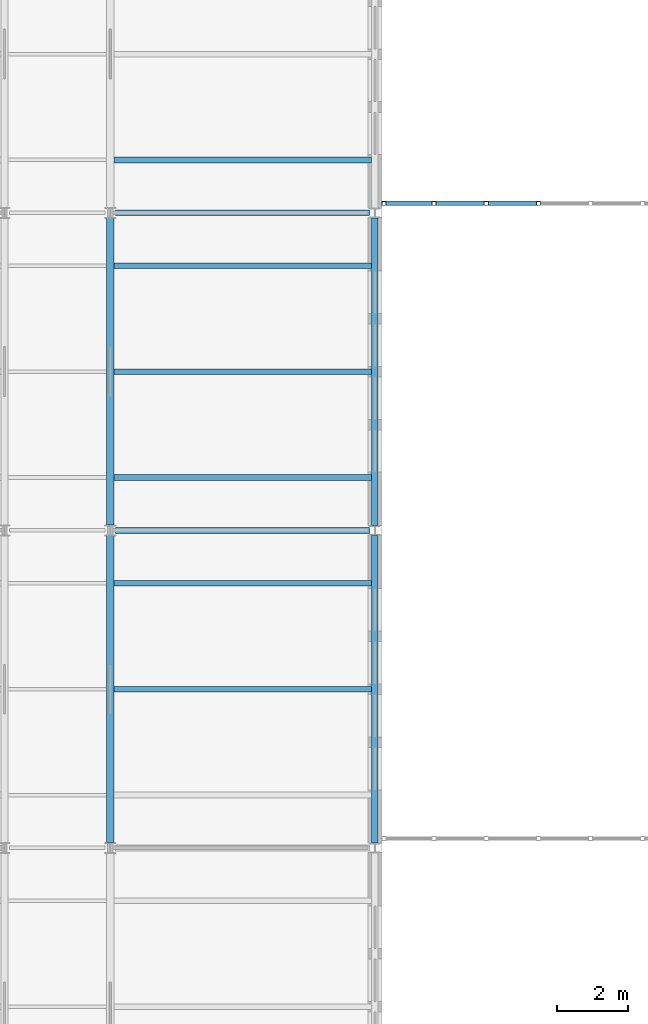
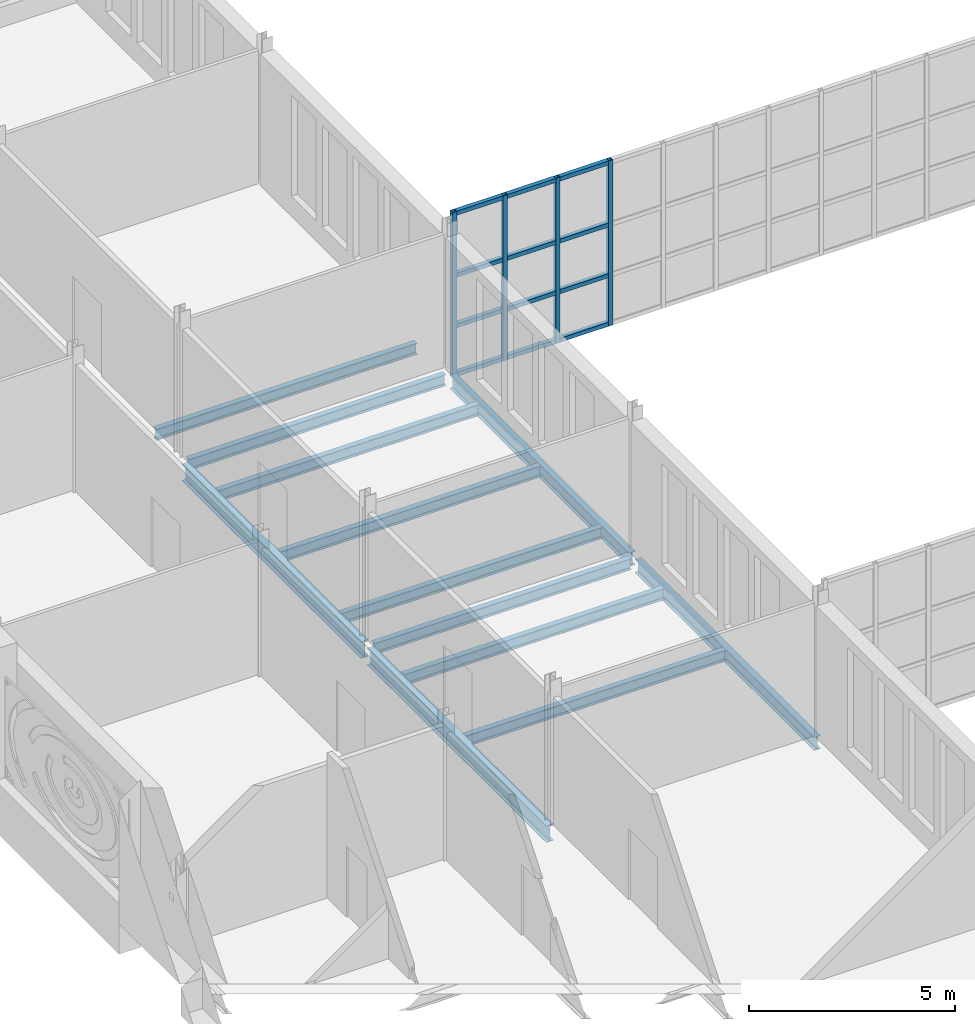
# One storey, part 32 of 134: 16 members, 12 beams, 1 element without a shape of its own.
"""IFC4 building model written with IfcOpenShell, lengths in metres."""

from ifc_helpers import new_model, si_unit, direction, frame, origin, origin_2d, place, context, subcontext, project, spatial, hollow_rectangle, i_section, extrude, material, material_profile, profile_set, type_object, element, aggregate, save


model = new_model("IFC4")

# Units and contexts
model_context = context("Model", 3, precision=1e-05, world=origin(), true_north=direction((0.0, 1.0)))
body_context = subcontext(model_context, "Body", "Model", "MODEL_VIEW")
ifc_project = project(units=[si_unit("LENGTHUNIT", "METRE"), si_unit("AREAUNIT", "SQUARE_METRE"), si_unit("VOLUMEUNIT", "CUBIC_METRE"), si_unit("PLANEANGLEUNIT", "RADIAN"), si_unit("MASSUNIT", "GRAM", prefix="KILO")], contexts=[model_context])

# Site, building, storey
site_placement = place(None, origin())
site = spatial("IfcSite", under=ifc_project, at=site_placement, CompositionType="ELEMENT")
building_placement = place(site_placement, origin())
building = spatial("IfcBuilding", under=site, at=building_placement, Name="Golden Quay Civic Hall", CompositionType="ELEMENT")
storey_placement = place(building_placement, frame((0.0, 0.0, 5.39990234375)))
storey = spatial("IfcBuildingStorey", under=building, at=storey_placement, Name="L01", CompositionType="ELEMENT", Elevation=5.39990234375)

# Curtain wall, members
ifc_material_1 = material(Name="Fire-resisting glass and steel", Category="steel")
curtain_wall_type = type_object("IfcCurtainWallType", Name="Fire-resisting glazed curtain wall EI 120", PredefinedType="NOTDEFINED", material=ifc_material_1)
curtain_wall_placement = place(storey_placement, origin())
curtain_wall = element("IfcCurtainWall", 1, at=curtain_wall_placement, inside=storey, type_object=curtain_wall_type, Name="CW3 curtain wall", PredefinedType="NOTDEFINED")
ifc_material_2 = material(Name="Steel S355", Category="steel")
ifc_material_profile_1 = material_profile(ifc_material_2, hollow_rectangle(XDim=0.1201171875, YDim=0.1201171875, WallThickness=0.008056640625, at=origin_2d()), Name="SHS 120x120x8")
ifc_profile_set_1 = profile_set([ifc_material_profile_1], Name="Steel S355")
member_type_1 = type_object("IfcMemberType", Name="Fire-resisting steel mullion SHS 120x120x8", PredefinedType="MULLION", material=ifc_profile_set_1)
member_1_placement = place(storey_placement, frame((72.260009765625, 36.27001953125, -0.599853515625), z_axis=(0.0, 0.0, 1.0), x_axis=(0.0, 1.0, 0.0)))
member_1 = element("IfcMember", 2, at=member_1_placement, type_object=member_type_1, Name="CW3 mullion 1", PredefinedType="MULLION", context=body_context, shape_type="SweptSolid", body=[
    extrude(hollow_rectangle(XDim=0.1201171875, YDim=0.1201171875, WallThickness=0.008056640625, at=origin_2d()), origin(), (0.0, 0.0, 1.0), 4.89990234375),
])
member_2_placement = place(storey_placement, frame((73.677734375, 36.27001953125, -0.599853515625), z_axis=(0.0, 0.0, 1.0), x_axis=(0.0, 1.0, 0.0)))
member_2 = element("IfcMember", 3, at=member_2_placement, type_object=member_type_1, Name="CW3 mullion 2", PredefinedType="MULLION", context=body_context, shape_type="SweptSolid", body=[
    extrude(hollow_rectangle(XDim=0.1201171875, YDim=0.1201171875, WallThickness=0.008056640625, at=origin_2d()), origin(), (0.0, 0.0, 1.0), 4.89990234375),
])
member_3_placement = place(storey_placement, frame((75.155517578125, 36.27001953125, -0.599853515625), z_axis=(0.0, 0.0, 1.0), x_axis=(0.0, 1.0, 0.0)))
member_3 = element("IfcMember", 4, at=member_3_placement, type_object=member_type_1, Name="CW3 mullion 3", PredefinedType="MULLION", context=body_context, shape_type="SweptSolid", body=[
    extrude(hollow_rectangle(XDim=0.1201171875, YDim=0.1201171875, WallThickness=0.008056640625, at=origin_2d()), origin(), (0.0, 0.0, 1.0), 4.89990234375),
])
member_4_placement = place(storey_placement, frame((76.63330078125, 36.27001953125, -0.599853515625), z_axis=(0.0, 0.0, 1.0), x_axis=(0.0, 1.0, 0.0)))
member_4 = element("IfcMember", 5, at=member_4_placement, type_object=member_type_1, Name="CW3 mullion 4", PredefinedType="MULLION", context=body_context, shape_type="SweptSolid", body=[
    extrude(hollow_rectangle(XDim=0.1201171875, YDim=0.1201171875, WallThickness=0.008056640625, at=origin_2d()), origin(), (0.0, 0.0, 1.0), 4.89990234375),
])
ifc_material_3 = material(Name="Steel S355", Category="steel")
ifc_material_profile_2 = material_profile(ifc_material_3, hollow_rectangle(XDim=0.1201171875, YDim=0.1201171875, WallThickness=0.008056640625, at=origin_2d()), Name="SHS 120x120x8")
ifc_profile_set_2 = profile_set([ifc_material_profile_2], Name="Steel S355")
member_type_2 = type_object("IfcMemberType", Name="Fire-resisting steel transom SHS 120x120x8", PredefinedType="USERDEFINED", material=ifc_profile_set_2)
member_5_placement = place(storey_placement, frame((72.320068359375, 36.27001953125, -0.539794921875), z_axis=(1.0, 0.0, 0.0), x_axis=(0.0, 1.0, 0.0)))
member_5 = element("IfcMember", 6, at=member_5_placement, type_object=member_type_2, Name="CW3 transom 1.1", ObjectType="TRANSOM", PredefinedType="USERDEFINED", context=body_context, shape_type="SweptSolid", body=[
    extrude(hollow_rectangle(XDim=0.1201171875, YDim=0.1201171875, WallThickness=0.008056640625, at=origin_2d()), origin(), (0.0, 0.0, 1.0), 1.297607421875),
])
member_6_placement = place(storey_placement, frame((72.320068359375, 36.27001953125, 0.900146484375), z_axis=(1.0, 0.0, 0.0), x_axis=(0.0, 1.0, 0.0)))
member_6 = element("IfcMember", 7, at=member_6_placement, type_object=member_type_2, Name="CW3 transom 1.2", ObjectType="TRANSOM", PredefinedType="USERDEFINED", context=body_context, shape_type="SweptSolid", body=[
    extrude(hollow_rectangle(XDim=0.1201171875, YDim=0.1201171875, WallThickness=0.008056640625, at=origin_2d()), origin(), (0.0, 0.0, 1.0), 1.297607421875),
])
member_7_placement = place(storey_placement, frame((72.320068359375, 36.27001953125, 2.400146484375), z_axis=(1.0, 0.0, 0.0), x_axis=(0.0, 1.0, 0.0)))
member_7 = element("IfcMember", 8, at=member_7_placement, type_object=member_type_2, Name="CW3 transom 1.3", ObjectType="TRANSOM", PredefinedType="USERDEFINED", context=body_context, shape_type="SweptSolid", body=[
    extrude(hollow_rectangle(XDim=0.1201171875, YDim=0.1201171875, WallThickness=0.008056640625, at=origin_2d()), origin(), (0.0, 0.0, 1.0), 1.297607421875),
])
member_8_placement = place(storey_placement, frame((72.320068359375, 36.27001953125, 4.239990234375), z_axis=(1.0, 0.0, 0.0), x_axis=(0.0, 1.0, 0.0)))
member_8 = element("IfcMember", 9, at=member_8_placement, type_object=member_type_2, Name="CW3 transom 1.4", ObjectType="TRANSOM", PredefinedType="USERDEFINED", context=body_context, shape_type="SweptSolid", body=[
    extrude(hollow_rectangle(XDim=0.1201171875, YDim=0.1201171875, WallThickness=0.008056640625, at=origin_2d()), origin(), (0.0, 0.0, 1.0), 1.297607421875),
])
member_9_placement = place(storey_placement, frame((73.73779296875, 36.27001953125, -0.539794921875), z_axis=(1.0, 0.0, 0.0), x_axis=(0.0, 1.0, 0.0)))
member_9 = element("IfcMember", 10, at=member_9_placement, type_object=member_type_2, Name="CW3 transom 2.1", ObjectType="TRANSOM", PredefinedType="USERDEFINED", context=body_context, shape_type="SweptSolid", body=[
    extrude(hollow_rectangle(XDim=0.1201171875, YDim=0.1201171875, WallThickness=0.008056640625, at=origin_2d()), origin(), (0.0, 0.0, 1.0), 1.357666015625),
])
member_10_placement = place(storey_placement, frame((73.73779296875, 36.27001953125, 0.900146484375), z_axis=(1.0, 0.0, 0.0), x_axis=(0.0, 1.0, 0.0)))
member_10 = element("IfcMember", 11, at=member_10_placement, type_object=member_type_2, Name="CW3 transom 2.2", ObjectType="TRANSOM", PredefinedType="USERDEFINED", context=body_context, shape_type="SweptSolid", body=[
    extrude(hollow_rectangle(XDim=0.1201171875, YDim=0.1201171875, WallThickness=0.008056640625, at=origin_2d()), origin(), (0.0, 0.0, 1.0), 1.357666015625),
])
member_11_placement = place(storey_placement, frame((73.73779296875, 36.27001953125, 2.400146484375), z_axis=(1.0, 0.0, 0.0), x_axis=(0.0, 1.0, 0.0)))
member_11 = element("IfcMember", 12, at=member_11_placement, type_object=member_type_2, Name="CW3 transom 2.3", ObjectType="TRANSOM", PredefinedType="USERDEFINED", context=body_context, shape_type="SweptSolid", body=[
    extrude(hollow_rectangle(XDim=0.1201171875, YDim=0.1201171875, WallThickness=0.008056640625, at=origin_2d()), origin(), (0.0, 0.0, 1.0), 1.357666015625),
])
member_12_placement = place(storey_placement, frame((73.73779296875, 36.27001953125, 4.239990234375), z_axis=(1.0, 0.0, 0.0), x_axis=(0.0, 1.0, 0.0)))
member_12 = element("IfcMember", 13, at=member_12_placement, type_object=member_type_2, Name="CW3 transom 2.4", ObjectType="TRANSOM", PredefinedType="USERDEFINED", context=body_context, shape_type="SweptSolid", body=[
    extrude(hollow_rectangle(XDim=0.1201171875, YDim=0.1201171875, WallThickness=0.008056640625, at=origin_2d()), origin(), (0.0, 0.0, 1.0), 1.357666015625),
])
member_13_placement = place(storey_placement, frame((75.215576171875, 36.27001953125, -0.539794921875), z_axis=(1.0, 0.0, 0.0), x_axis=(0.0, 1.0, 0.0)))
member_13 = element("IfcMember", 14, at=member_13_placement, type_object=member_type_2, Name="CW3 transom 3.1", ObjectType="TRANSOM", PredefinedType="USERDEFINED", context=body_context, shape_type="SweptSolid", body=[
    extrude(hollow_rectangle(XDim=0.1201171875, YDim=0.1201171875, WallThickness=0.008056640625, at=origin_2d()), origin(), (0.0, 0.0, 1.0), 1.357666015625),
])
member_14_placement = place(storey_placement, frame((75.215576171875, 36.27001953125, 0.900146484375), z_axis=(1.0, 0.0, 0.0), x_axis=(0.0, 1.0, 0.0)))
member_14 = element("IfcMember", 15, at=member_14_placement, type_object=member_type_2, Name="CW3 transom 3.2", ObjectType="TRANSOM", PredefinedType="USERDEFINED", context=body_context, shape_type="SweptSolid", body=[
    extrude(hollow_rectangle(XDim=0.1201171875, YDim=0.1201171875, WallThickness=0.008056640625, at=origin_2d()), origin(), (0.0, 0.0, 1.0), 1.357666015625),
])
member_15_placement = place(storey_placement, frame((75.215576171875, 36.27001953125, 2.400146484375), z_axis=(1.0, 0.0, 0.0), x_axis=(0.0, 1.0, 0.0)))
member_15 = element("IfcMember", 16, at=member_15_placement, type_object=member_type_2, Name="CW3 transom 3.3", ObjectType="TRANSOM", PredefinedType="USERDEFINED", context=body_context, shape_type="SweptSolid", body=[
    extrude(hollow_rectangle(XDim=0.1201171875, YDim=0.1201171875, WallThickness=0.008056640625, at=origin_2d()), origin(), (0.0, 0.0, 1.0), 1.357666015625),
])
member_16_placement = place(storey_placement, frame((75.215576171875, 36.27001953125, 4.239990234375), z_axis=(1.0, 0.0, 0.0), x_axis=(0.0, 1.0, 0.0)))
member_16 = element("IfcMember", 17, at=member_16_placement, type_object=member_type_2, Name="CW3 transom 3.4", ObjectType="TRANSOM", PredefinedType="USERDEFINED", context=body_context, shape_type="SweptSolid", body=[
    extrude(hollow_rectangle(XDim=0.1201171875, YDim=0.1201171875, WallThickness=0.008056640625, at=origin_2d()), origin(), (0.0, 0.0, 1.0), 1.357666015625),
])
aggregate(curtain_wall, [member_1, member_2, member_3, member_4, member_5, member_6, member_7, member_8, member_9, member_10, member_11, member_12, member_13, member_14, member_15, member_16])

# Beams
ifc_material_4 = material(Name="Steel S355", Category="steel")
ifc_material_profile_3 = material_profile(ifc_material_4, i_section(OverallWidth=0.159912109375, OverallDepth=0.330078125, WebThickness=0.007568359375, FlangeThickness=0.011474609375, FilletRadius=0.01806640625, at=origin_2d()), Name="IPE 330")
ifc_profile_set_3 = profile_set([ifc_material_profile_3], Name="Steel S355")
beam_type_1 = type_object("IfcBeamType", Name="Steel beam IPE 330", PredefinedType="BEAM", material=ifc_profile_set_3)
for number, where, z_axis, x_axis, name in (
    (18, (64.64990234375, 27.0, -0.364990234375), (1.0, 0.0, 0.0), (0.0, 1.0, 0.0), "Beam S27-64.5"),
    (19, (64.64990234375, 36.0, -0.364990234375), (1.0, 0.0, 0.0), (0.0, 1.0, 0.0), "Beam S36-64.5"),
):
    element("IfcBeam", number, at=place(storey_placement, frame(where, z_axis=z_axis, x_axis=x_axis)), inside=storey, type_object=beam_type_1, Name=name, PredefinedType="BEAM", context=body_context, shape_type="SweptSolid", body=[
        extrude(i_section(OverallWidth=0.159912109375, OverallDepth=0.330078125, WebThickness=0.007568359375, FlangeThickness=0.011474609375, FilletRadius=0.01806640625, at=origin_2d()), origin(), (0.0, 0.0, 1.0), 7.2001953125),
    ])
ifc_material_5 = material(Name="Steel S355", Category="steel")
ifc_material_profile_4 = material_profile(ifc_material_5, i_section(OverallWidth=0.179931640625, OverallDepth=0.39990234375, WebThickness=0.008544921875, FlangeThickness=0.013427734375, FilletRadius=0.02099609375, at=origin_2d()), Name="IPE 400")
ifc_profile_set_4 = profile_set([ifc_material_profile_4], Name="Steel S355")
beam_type_2 = type_object("IfcBeamType", Name="Steel beam IPE 400", PredefinedType="BEAM", material=ifc_profile_set_4)
for number, where, z_axis, x_axis, name in (
    (20, (72.0, 18.14501953125, -0.39990234375), (0.0, 1.0, 0.0), (-1.0, 0.0, 0.0), "Beam L72-18"),
    (21, (72.0, 27.14501953125, -0.39990234375), (0.0, 1.0, 0.0), (-1.0, 0.0, 0.0), "Beam L72-27"),
):
    element("IfcBeam", number, at=place(storey_placement, frame(where, z_axis=z_axis, x_axis=x_axis)), inside=storey, type_object=beam_type_2, Name=name, PredefinedType="BEAM", context=body_context, shape_type="SweptSolid", body=[
        extrude(i_section(OverallWidth=0.179931640625, OverallDepth=0.39990234375, WebThickness=0.008544921875, FlangeThickness=0.013427734375, FilletRadius=0.02099609375, at=origin_2d()), origin(), (0.0, 0.0, 1.0), 8.7099609375),
    ])
ifc_material_6 = material(Name="Steel S355", Category="steel")
ifc_material_profile_5 = material_profile(ifc_material_6, i_section(OverallWidth=0.199951171875, OverallDepth=0.5, WebThickness=0.01025390625, FlangeThickness=0.01611328125, FilletRadius=0.02099609375, at=origin_2d()), Name="IPE 500")
ifc_profile_set_5 = profile_set([ifc_material_profile_5], Name="Steel S355")
beam_type_3 = type_object("IfcBeamType", Name="Steel beam IPE 500", PredefinedType="BEAM", material=ifc_profile_set_5)
for number, where, z_axis, x_axis, name in (
    (22, (64.5, 18.14990234375, -0.449951171875), (0.0, 1.0, 0.0), (-1.0, 0.0, 0.0), "Beam L64.5-18"),
    (23, (64.5, 27.14990234375, -0.449951171875), (0.0, 1.0, 0.0), (-1.0, 0.0, 0.0), "Beam L64.5-27"),
):
    element("IfcBeam", number, at=place(storey_placement, frame(where, z_axis=z_axis, x_axis=x_axis)), inside=storey, type_object=beam_type_3, Name=name, PredefinedType="BEAM", context=body_context, shape_type="SweptSolid", body=[
        extrude(i_section(OverallWidth=0.199951171875, OverallDepth=0.5, WebThickness=0.01025390625, FlangeThickness=0.01611328125, FilletRadius=0.02099609375, at=origin_2d()), origin(), (0.0, 0.0, 1.0), 8.7001953125),
    ])
ifc_material_7 = material(Name="Steel S355", Category="steel")
ifc_material_profile_6 = material_profile(ifc_material_7, i_section(OverallWidth=0.159912109375, OverallDepth=0.330078125, WebThickness=0.007568359375, FlangeThickness=0.011474609375, FilletRadius=0.01806640625, at=origin_2d()), Name="IPE 330")
ifc_profile_set_6 = profile_set([ifc_material_profile_6], Name="Steel S355")
beam_type_4 = type_object("IfcBeamType", Name="Steel joist IPE 330", PredefinedType="JOIST", material=ifc_profile_set_6)
for number, where, z_axis, x_axis, name in (
    (24, (64.60009765625, 22.5, -0.364990234375), (1.0, 0.0, 0.0), (0.0, 1.0, 0.0), "Joist J22.5-64.5"),
    (25, (64.60009765625, 25.5, -0.364990234375), (1.0, 0.0, 0.0), (0.0, 1.0, 0.0), "Joist J25.5-64.5"),
    (26, (64.60009765625, 28.5, -0.364990234375), (1.0, 0.0, 0.0), (0.0, 1.0, 0.0), "Joist J28.5-64.5"),
    (27, (64.60009765625, 31.5, -0.364990234375), (1.0, 0.0, 0.0), (0.0, 1.0, 0.0), "Joist J31.5-64.5"),
    (28, (64.60009765625, 34.5, -0.364990234375), (1.0, 0.0, 0.0), (0.0, 1.0, 0.0), "Joist J34.5-64.5"),
    (29, (64.60009765625, 37.5, -0.364990234375), (1.0, 0.0, 0.0), (0.0, 1.0, 0.0), "Joist J37.5-64.5"),
):
    element("IfcBeam", number, at=place(storey_placement, frame(where, z_axis=z_axis, x_axis=x_axis)), inside=storey, type_object=beam_type_4, Name=name, PredefinedType="JOIST", context=body_context, shape_type="SweptSolid", body=[
        extrude(i_section(OverallWidth=0.159912109375, OverallDepth=0.330078125, WebThickness=0.007568359375, FlangeThickness=0.011474609375, FilletRadius=0.01806640625, at=origin_2d()), origin(), (0.0, 0.0, 1.0), 7.309814453125),
    ])

save(model, "model.ifc")
